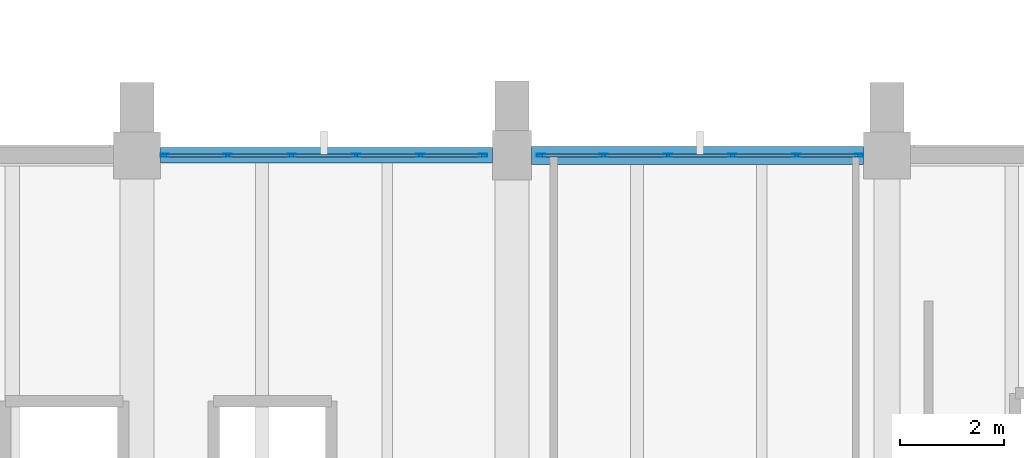
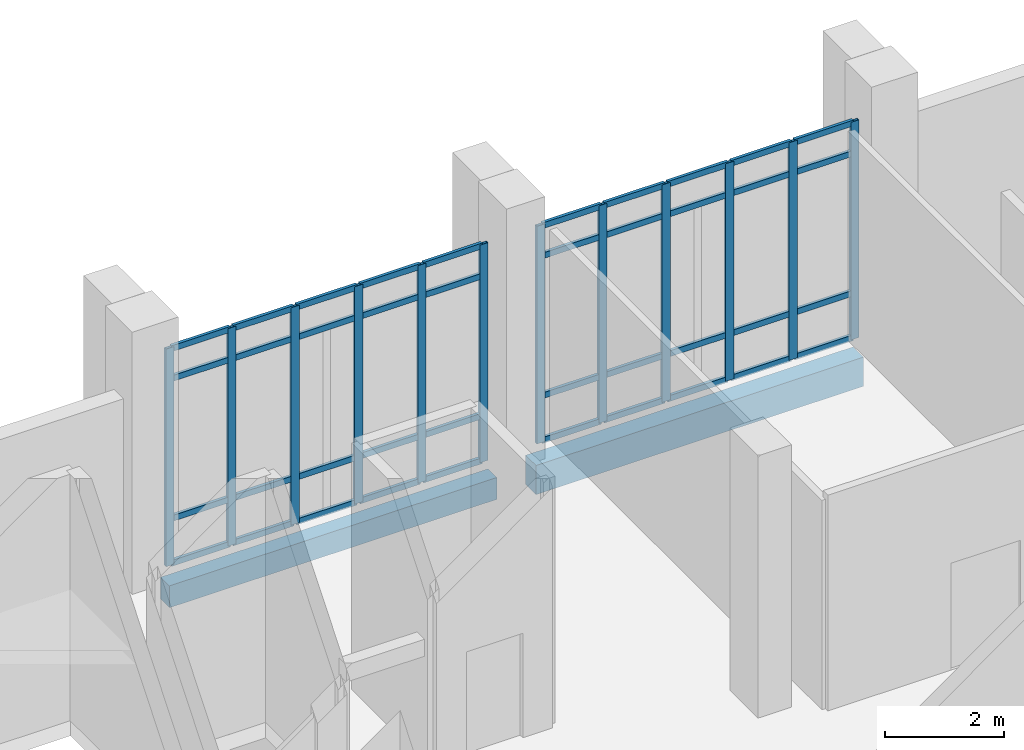
# One storey, part 43 of 110: 52 members, 2 beams, 2 elements without a shape of their own.
"""IFC4 building model written with IfcOpenShell, lengths in metres."""

from ifc_helpers import new_model, si_unit, direction, frame, origin, origin_2d, place, context, subcontext, project, spatial, rectangle, hollow_rectangle, extrude, material, material_profile, profile_set, type_object, element, aggregate, save


model = new_model("IFC4")

# Units and contexts
model_context = context("Model", 3, precision=1e-05, world=origin(), true_north=direction((0.0, 1.0)))
body_context = subcontext(model_context, "Body", "Model", "MODEL_VIEW")
ifc_project = project(units=[si_unit("LENGTHUNIT", "METRE"), si_unit("AREAUNIT", "SQUARE_METRE"), si_unit("VOLUMEUNIT", "CUBIC_METRE"), si_unit("PLANEANGLEUNIT", "RADIAN"), si_unit("MASSUNIT", "GRAM", prefix="KILO")], contexts=[model_context])

# Site, building, storey
site_placement = place(None, origin())
site = spatial("IfcSite", under=ifc_project, at=site_placement, CompositionType="ELEMENT")
building_placement = place(site_placement, origin())
building = spatial("IfcBuilding", under=site, at=building_placement, Name="Kalluvel Institute of Natural Sciences", CompositionType="ELEMENT")
storey_placement = place(building_placement, origin())
storey = spatial("IfcBuildingStorey", under=building, at=storey_placement, Name="L00", CompositionType="ELEMENT", Elevation=0.0)

# Curtain wall, members
ifc_material_1 = material(Name="Aluminium AW-6063 T6", Category="aluminium")
curtain_wall_type = type_object("IfcCurtainWallType", Name="CW-WET-54", PredefinedType="USERDEFINED", material=ifc_material_1)
curtain_wall_1_placement = place(storey_placement, origin())
curtain_wall_1 = element("IfcCurtainWall", 1, at=curtain_wall_1_placement, inside=storey, type_object=curtain_wall_type, Name="L00 Gothic lancet curtain wall CWA-L00-X433-Y1280", ObjectType="UNITISED LANCET FACADE", PredefinedType="USERDEFINED")
ifc_material_profile_1 = material_profile(ifc_material_1, hollow_rectangle(XDim=0.06005859375, YDim=0.159912109375, WallThickness=0.00390625, at=origin_2d()), Name="CWM 60x160")
ifc_profile_set_1 = profile_set([ifc_material_profile_1], Name="Aluminium AW-6063 T6")
member_type_1 = type_object("IfcMemberType", Name="CWM-60x160", PredefinedType="MULLION", material=ifc_profile_set_1)
member_1_placement = place(storey_placement, frame((43.330078125, 128.0, 0.0), z_axis=(0.0, 0.0, 1.0), x_axis=(0.0, 1.0, 0.0)))
member_1 = element("IfcMember", 2, at=member_1_placement, type_object=member_type_1, Name="CW-02 mullion 1", PredefinedType="MULLION", context=body_context, shape_type="SweptSolid", body=[
    extrude(hollow_rectangle(XDim=0.06005859375, YDim=0.159912109375, WallThickness=0.00390625, at=origin_2d()), origin(), (0.0, 0.0, 1.0), 4.47998046875),
])
member_2_placement = place(storey_placement, frame((44.534912109375, 128.0, 0.0), z_axis=(0.0, 0.0, 1.0), x_axis=(0.0, 1.0, 0.0)))
member_2 = element("IfcMember", 3, at=member_2_placement, type_object=member_type_1, Name="CW-02 mullion 2", PredefinedType="MULLION", context=body_context, shape_type="SweptSolid", body=[
    extrude(hollow_rectangle(XDim=0.06005859375, YDim=0.159912109375, WallThickness=0.00390625, at=origin_2d()), origin(), (0.0, 0.0, 1.0), 4.47998046875),
])
member_3_placement = place(storey_placement, frame((45.77001953125, 128.0, 0.0), z_axis=(0.0, 0.0, 1.0), x_axis=(0.0, 1.0, 0.0)))
member_3 = element("IfcMember", 4, at=member_3_placement, type_object=member_type_1, Name="CW-02 mullion 3", PredefinedType="MULLION", context=body_context, shape_type="SweptSolid", body=[
    extrude(hollow_rectangle(XDim=0.06005859375, YDim=0.159912109375, WallThickness=0.00390625, at=origin_2d()), origin(), (0.0, 0.0, 1.0), 4.47998046875),
])
member_4_placement = place(storey_placement, frame((47.0048828125, 128.0, 0.0), z_axis=(0.0, 0.0, 1.0), x_axis=(0.0, 1.0, 0.0)))
member_4 = element("IfcMember", 5, at=member_4_placement, type_object=member_type_1, Name="CW-02 mullion 4", PredefinedType="MULLION", context=body_context, shape_type="SweptSolid", body=[
    extrude(hollow_rectangle(XDim=0.06005859375, YDim=0.159912109375, WallThickness=0.00390625, at=origin_2d()), origin(), (0.0, 0.0, 1.0), 4.47998046875),
])
member_5_placement = place(storey_placement, frame((48.239990234375, 128.0, 0.0), z_axis=(0.0, 0.0, 1.0), x_axis=(0.0, 1.0, 0.0)))
member_5 = element("IfcMember", 6, at=member_5_placement, type_object=member_type_1, Name="CW-02 mullion 5", PredefinedType="MULLION", context=body_context, shape_type="SweptSolid", body=[
    extrude(hollow_rectangle(XDim=0.06005859375, YDim=0.159912109375, WallThickness=0.00390625, at=origin_2d()), origin(), (0.0, 0.0, 1.0), 4.47998046875),
])
member_6_placement = place(storey_placement, frame((49.445068359375, 128.0, 0.0), z_axis=(0.0, 0.0, 1.0), x_axis=(0.0, 1.0, 0.0)))
member_6 = element("IfcMember", 7, at=member_6_placement, type_object=member_type_1, Name="CW-02 mullion 6", PredefinedType="MULLION", context=body_context, shape_type="SweptSolid", body=[
    extrude(hollow_rectangle(XDim=0.06005859375, YDim=0.159912109375, WallThickness=0.00390625, at=origin_2d()), origin(), (0.0, 0.0, 1.0), 4.47998046875),
])

curtain_wall_2_placement = place(storey_placement, origin())
curtain_wall_2 = element("IfcCurtainWall", 8, at=curtain_wall_2_placement, inside=storey, type_object=curtain_wall_type, Name="L00 Gothic lancet curtain wall CWA-L00-X505-Y1280", ObjectType="UNITISED LANCET FACADE", PredefinedType="USERDEFINED")
member_7_placement = place(storey_placement, frame((50.554931640625, 128.0, 0.0), z_axis=(0.0, 0.0, 1.0), x_axis=(0.0, 1.0, 0.0)))
member_7 = element("IfcMember", 9, at=member_7_placement, type_object=member_type_1, Name="CW-02 mullion 1", PredefinedType="MULLION", context=body_context, shape_type="SweptSolid", body=[
    extrude(hollow_rectangle(XDim=0.06005859375, YDim=0.159912109375, WallThickness=0.00390625, at=origin_2d()), origin(), (0.0, 0.0, 1.0), 4.47998046875),
])
member_8_placement = place(storey_placement, frame((51.760009765625, 128.0, 0.0), z_axis=(0.0, 0.0, 1.0), x_axis=(0.0, 1.0, 0.0)))
member_8 = element("IfcMember", 10, at=member_8_placement, type_object=member_type_1, Name="CW-02 mullion 2", PredefinedType="MULLION", context=body_context, shape_type="SweptSolid", body=[
    extrude(hollow_rectangle(XDim=0.06005859375, YDim=0.159912109375, WallThickness=0.00390625, at=origin_2d()), origin(), (0.0, 0.0, 1.0), 4.47998046875),
])
member_9_placement = place(storey_placement, frame((52.9951171875, 128.0, 0.0), z_axis=(0.0, 0.0, 1.0), x_axis=(0.0, 1.0, 0.0)))
member_9 = element("IfcMember", 11, at=member_9_placement, type_object=member_type_1, Name="CW-02 mullion 3", PredefinedType="MULLION", context=body_context, shape_type="SweptSolid", body=[
    extrude(hollow_rectangle(XDim=0.06005859375, YDim=0.159912109375, WallThickness=0.00390625, at=origin_2d()), origin(), (0.0, 0.0, 1.0), 4.47998046875),
])
member_10_placement = place(storey_placement, frame((54.22998046875, 128.0, 0.0), z_axis=(0.0, 0.0, 1.0), x_axis=(0.0, 1.0, 0.0)))
member_10 = element("IfcMember", 12, at=member_10_placement, type_object=member_type_1, Name="CW-02 mullion 4", PredefinedType="MULLION", context=body_context, shape_type="SweptSolid", body=[
    extrude(hollow_rectangle(XDim=0.06005859375, YDim=0.159912109375, WallThickness=0.00390625, at=origin_2d()), origin(), (0.0, 0.0, 1.0), 4.47998046875),
])
member_11_placement = place(storey_placement, frame((55.465087890625, 128.0, 0.0), z_axis=(0.0, 0.0, 1.0), x_axis=(0.0, 1.0, 0.0)))
member_11 = element("IfcMember", 13, at=member_11_placement, type_object=member_type_1, Name="CW-02 mullion 5", PredefinedType="MULLION", context=body_context, shape_type="SweptSolid", body=[
    extrude(hollow_rectangle(XDim=0.06005859375, YDim=0.159912109375, WallThickness=0.00390625, at=origin_2d()), origin(), (0.0, 0.0, 1.0), 4.47998046875),
])
member_12_placement = place(storey_placement, frame((56.669921875, 128.0, 0.0), z_axis=(0.0, 0.0, 1.0), x_axis=(0.0, 1.0, 0.0)))
member_12 = element("IfcMember", 14, at=member_12_placement, type_object=member_type_1, Name="CW-02 mullion 6", PredefinedType="MULLION", context=body_context, shape_type="SweptSolid", body=[
    extrude(hollow_rectangle(XDim=0.06005859375, YDim=0.159912109375, WallThickness=0.00390625, at=origin_2d()), origin(), (0.0, 0.0, 1.0), 4.47998046875),
])

# Member
ifc_material_profile_2 = material_profile(ifc_material_1, hollow_rectangle(XDim=0.06005859375, YDim=0.1201171875, WallThickness=0.00390625, at=origin_2d()), Name="CWT 60x120")
ifc_profile_set_2 = profile_set([ifc_material_profile_2], Name="Aluminium AW-6063 T6")
member_type_2 = type_object("IfcMemberType", Name="CWT-60x120", PredefinedType="USERDEFINED", material=ifc_profile_set_2)
member_13_placement = place(storey_placement, frame((43.360107421875, 128.0, 0.030029296875), z_axis=(1.0, 0.0, 0.0), x_axis=(0.0, 1.0, 0.0)))
member_13 = element("IfcMember", 15, at=member_13_placement, type_object=member_type_2, Name="CW-02 transom 1.1", ObjectType="TRANSOM", PredefinedType="USERDEFINED", context=body_context, shape_type="SweptSolid", body=[
    extrude(hollow_rectangle(XDim=0.06005859375, YDim=0.1201171875, WallThickness=0.00390625, at=origin_2d()), origin(), (0.0, 0.0, 1.0), 1.144775390625),
])

member_14_placement = place(storey_placement, frame((43.360107421875, 128.0, 0.949951171875), z_axis=(1.0, 0.0, 0.0), x_axis=(0.0, 1.0, 0.0)))
member_14 = element("IfcMember", 16, at=member_14_placement, type_object=member_type_2, Name="CW-02 transom 1.2", ObjectType="TRANSOM", PredefinedType="USERDEFINED", context=body_context, shape_type="SweptSolid", body=[
    extrude(hollow_rectangle(XDim=0.06005859375, YDim=0.1201171875, WallThickness=0.00390625, at=origin_2d()), origin(), (0.0, 0.0, 1.0), 1.144775390625),
])

member_15_placement = place(storey_placement, frame((43.360107421875, 128.0, 3.830078125), z_axis=(1.0, 0.0, 0.0), x_axis=(0.0, 1.0, 0.0)))
member_15 = element("IfcMember", 17, at=member_15_placement, type_object=member_type_2, Name="CW-02 transom 1.3", ObjectType="TRANSOM", PredefinedType="USERDEFINED", context=body_context, shape_type="SweptSolid", body=[
    extrude(hollow_rectangle(XDim=0.06005859375, YDim=0.1201171875, WallThickness=0.00390625, at=origin_2d()), origin(), (0.0, 0.0, 1.0), 1.144775390625),
])

member_16_placement = place(storey_placement, frame((43.360107421875, 128.0, 4.449951171875), z_axis=(1.0, 0.0, 0.0), x_axis=(0.0, 1.0, 0.0)))
member_16 = element("IfcMember", 18, at=member_16_placement, type_object=member_type_2, Name="CW-02 transom 1.4", ObjectType="TRANSOM", PredefinedType="USERDEFINED", context=body_context, shape_type="SweptSolid", body=[
    extrude(hollow_rectangle(XDim=0.06005859375, YDim=0.1201171875, WallThickness=0.00390625, at=origin_2d()), origin(), (0.0, 0.0, 1.0), 1.144775390625),
])

member_17_placement = place(storey_placement, frame((44.56494140625, 128.0, 0.030029296875), z_axis=(1.0, 0.0, 0.0), x_axis=(0.0, 1.0, 0.0)))
member_17 = element("IfcMember", 19, at=member_17_placement, type_object=member_type_2, Name="CW-02 transom 2.1", ObjectType="TRANSOM", PredefinedType="USERDEFINED", context=body_context, shape_type="SweptSolid", body=[
    extrude(hollow_rectangle(XDim=0.06005859375, YDim=0.1201171875, WallThickness=0.00390625, at=origin_2d()), origin(), (0.0, 0.0, 1.0), 1.175048828125),
])

member_18_placement = place(storey_placement, frame((44.56494140625, 128.0, 0.949951171875), z_axis=(1.0, 0.0, 0.0), x_axis=(0.0, 1.0, 0.0)))
member_18 = element("IfcMember", 20, at=member_18_placement, type_object=member_type_2, Name="CW-02 transom 2.2", ObjectType="TRANSOM", PredefinedType="USERDEFINED", context=body_context, shape_type="SweptSolid", body=[
    extrude(hollow_rectangle(XDim=0.06005859375, YDim=0.1201171875, WallThickness=0.00390625, at=origin_2d()), origin(), (0.0, 0.0, 1.0), 1.175048828125),
])

member_19_placement = place(storey_placement, frame((44.56494140625, 128.0, 3.830078125), z_axis=(1.0, 0.0, 0.0), x_axis=(0.0, 1.0, 0.0)))
member_19 = element("IfcMember", 21, at=member_19_placement, type_object=member_type_2, Name="CW-02 transom 2.3", ObjectType="TRANSOM", PredefinedType="USERDEFINED", context=body_context, shape_type="SweptSolid", body=[
    extrude(hollow_rectangle(XDim=0.06005859375, YDim=0.1201171875, WallThickness=0.00390625, at=origin_2d()), origin(), (0.0, 0.0, 1.0), 1.175048828125),
])

member_20_placement = place(storey_placement, frame((44.56494140625, 128.0, 4.449951171875), z_axis=(1.0, 0.0, 0.0), x_axis=(0.0, 1.0, 0.0)))
member_20 = element("IfcMember", 22, at=member_20_placement, type_object=member_type_2, Name="CW-02 transom 2.4", ObjectType="TRANSOM", PredefinedType="USERDEFINED", context=body_context, shape_type="SweptSolid", body=[
    extrude(hollow_rectangle(XDim=0.06005859375, YDim=0.1201171875, WallThickness=0.00390625, at=origin_2d()), origin(), (0.0, 0.0, 1.0), 1.175048828125),
])

member_21_placement = place(storey_placement, frame((45.800048828125, 128.0, 0.030029296875), z_axis=(1.0, 0.0, 0.0), x_axis=(0.0, 1.0, 0.0)))
member_21 = element("IfcMember", 23, at=member_21_placement, type_object=member_type_2, Name="CW-02 transom 3.1", ObjectType="TRANSOM", PredefinedType="USERDEFINED", context=body_context, shape_type="SweptSolid", body=[
    extrude(hollow_rectangle(XDim=0.06005859375, YDim=0.1201171875, WallThickness=0.00390625, at=origin_2d()), origin(), (0.0, 0.0, 1.0), 1.175048828125),
])

member_22_placement = place(storey_placement, frame((45.800048828125, 128.0, 0.949951171875), z_axis=(1.0, 0.0, 0.0), x_axis=(0.0, 1.0, 0.0)))
member_22 = element("IfcMember", 24, at=member_22_placement, type_object=member_type_2, Name="CW-02 transom 3.2", ObjectType="TRANSOM", PredefinedType="USERDEFINED", context=body_context, shape_type="SweptSolid", body=[
    extrude(hollow_rectangle(XDim=0.06005859375, YDim=0.1201171875, WallThickness=0.00390625, at=origin_2d()), origin(), (0.0, 0.0, 1.0), 1.175048828125),
])

member_23_placement = place(storey_placement, frame((45.800048828125, 128.0, 3.830078125), z_axis=(1.0, 0.0, 0.0), x_axis=(0.0, 1.0, 0.0)))
member_23 = element("IfcMember", 25, at=member_23_placement, type_object=member_type_2, Name="CW-02 transom 3.3", ObjectType="TRANSOM", PredefinedType="USERDEFINED", context=body_context, shape_type="SweptSolid", body=[
    extrude(hollow_rectangle(XDim=0.06005859375, YDim=0.1201171875, WallThickness=0.00390625, at=origin_2d()), origin(), (0.0, 0.0, 1.0), 1.175048828125),
])

member_24_placement = place(storey_placement, frame((45.800048828125, 128.0, 4.449951171875), z_axis=(1.0, 0.0, 0.0), x_axis=(0.0, 1.0, 0.0)))
member_24 = element("IfcMember", 26, at=member_24_placement, type_object=member_type_2, Name="CW-02 transom 3.4", ObjectType="TRANSOM", PredefinedType="USERDEFINED", context=body_context, shape_type="SweptSolid", body=[
    extrude(hollow_rectangle(XDim=0.06005859375, YDim=0.1201171875, WallThickness=0.00390625, at=origin_2d()), origin(), (0.0, 0.0, 1.0), 1.175048828125),
])

member_25_placement = place(storey_placement, frame((47.034912109375, 128.0, 0.030029296875), z_axis=(1.0, 0.0, 0.0), x_axis=(0.0, 1.0, 0.0)))
member_25 = element("IfcMember", 27, at=member_25_placement, type_object=member_type_2, Name="CW-02 transom 4.1", ObjectType="TRANSOM", PredefinedType="USERDEFINED", context=body_context, shape_type="SweptSolid", body=[
    extrude(hollow_rectangle(XDim=0.06005859375, YDim=0.1201171875, WallThickness=0.00390625, at=origin_2d()), origin(), (0.0, 0.0, 1.0), 1.175048828125),
])

member_26_placement = place(storey_placement, frame((47.034912109375, 128.0, 0.949951171875), z_axis=(1.0, 0.0, 0.0), x_axis=(0.0, 1.0, 0.0)))
member_26 = element("IfcMember", 28, at=member_26_placement, type_object=member_type_2, Name="CW-02 transom 4.2", ObjectType="TRANSOM", PredefinedType="USERDEFINED", context=body_context, shape_type="SweptSolid", body=[
    extrude(hollow_rectangle(XDim=0.06005859375, YDim=0.1201171875, WallThickness=0.00390625, at=origin_2d()), origin(), (0.0, 0.0, 1.0), 1.175048828125),
])

member_27_placement = place(storey_placement, frame((47.034912109375, 128.0, 3.830078125), z_axis=(1.0, 0.0, 0.0), x_axis=(0.0, 1.0, 0.0)))
member_27 = element("IfcMember", 29, at=member_27_placement, type_object=member_type_2, Name="CW-02 transom 4.3", ObjectType="TRANSOM", PredefinedType="USERDEFINED", context=body_context, shape_type="SweptSolid", body=[
    extrude(hollow_rectangle(XDim=0.06005859375, YDim=0.1201171875, WallThickness=0.00390625, at=origin_2d()), origin(), (0.0, 0.0, 1.0), 1.175048828125),
])

member_28_placement = place(storey_placement, frame((47.034912109375, 128.0, 4.449951171875), z_axis=(1.0, 0.0, 0.0), x_axis=(0.0, 1.0, 0.0)))
member_28 = element("IfcMember", 30, at=member_28_placement, type_object=member_type_2, Name="CW-02 transom 4.4", ObjectType="TRANSOM", PredefinedType="USERDEFINED", context=body_context, shape_type="SweptSolid", body=[
    extrude(hollow_rectangle(XDim=0.06005859375, YDim=0.1201171875, WallThickness=0.00390625, at=origin_2d()), origin(), (0.0, 0.0, 1.0), 1.175048828125),
])

member_29_placement = place(storey_placement, frame((48.27001953125, 128.0, 0.030029296875), z_axis=(1.0, 0.0, 0.0), x_axis=(0.0, 1.0, 0.0)))
member_29 = element("IfcMember", 31, at=member_29_placement, type_object=member_type_2, Name="CW-02 transom 5.1", ObjectType="TRANSOM", PredefinedType="USERDEFINED", context=body_context, shape_type="SweptSolid", body=[
    extrude(hollow_rectangle(XDim=0.06005859375, YDim=0.1201171875, WallThickness=0.00390625, at=origin_2d()), origin(), (0.0, 0.0, 1.0), 1.14501953125),
])

member_30_placement = place(storey_placement, frame((48.27001953125, 128.0, 0.949951171875), z_axis=(1.0, 0.0, 0.0), x_axis=(0.0, 1.0, 0.0)))
member_30 = element("IfcMember", 32, at=member_30_placement, type_object=member_type_2, Name="CW-02 transom 5.2", ObjectType="TRANSOM", PredefinedType="USERDEFINED", context=body_context, shape_type="SweptSolid", body=[
    extrude(hollow_rectangle(XDim=0.06005859375, YDim=0.1201171875, WallThickness=0.00390625, at=origin_2d()), origin(), (0.0, 0.0, 1.0), 1.14501953125),
])

member_31_placement = place(storey_placement, frame((48.27001953125, 128.0, 3.830078125), z_axis=(1.0, 0.0, 0.0), x_axis=(0.0, 1.0, 0.0)))
member_31 = element("IfcMember", 33, at=member_31_placement, type_object=member_type_2, Name="CW-02 transom 5.3", ObjectType="TRANSOM", PredefinedType="USERDEFINED", context=body_context, shape_type="SweptSolid", body=[
    extrude(hollow_rectangle(XDim=0.06005859375, YDim=0.1201171875, WallThickness=0.00390625, at=origin_2d()), origin(), (0.0, 0.0, 1.0), 1.14501953125),
])

member_32_placement = place(storey_placement, frame((48.27001953125, 128.0, 4.449951171875), z_axis=(1.0, 0.0, 0.0), x_axis=(0.0, 1.0, 0.0)))
member_32 = element("IfcMember", 34, at=member_32_placement, type_object=member_type_2, Name="CW-02 transom 5.4", ObjectType="TRANSOM", PredefinedType="USERDEFINED", context=body_context, shape_type="SweptSolid", body=[
    extrude(hollow_rectangle(XDim=0.06005859375, YDim=0.1201171875, WallThickness=0.00390625, at=origin_2d()), origin(), (0.0, 0.0, 1.0), 1.14501953125),
])

aggregate(curtain_wall_1, [member_1, member_2, member_3, member_4, member_5, member_6, member_13, member_14, member_15, member_16, member_17, member_18, member_19, member_20, member_21, member_22, member_23, member_24, member_25, member_26, member_27, member_28, member_29, member_30, member_31, member_32])

member_33_placement = place(storey_placement, frame((50.5849609375, 128.0, 0.030029296875), z_axis=(1.0, 0.0, 0.0), x_axis=(0.0, 1.0, 0.0)))
member_33 = element("IfcMember", 35, at=member_33_placement, type_object=member_type_2, Name="CW-02 transom 1.1", ObjectType="TRANSOM", PredefinedType="USERDEFINED", context=body_context, shape_type="SweptSolid", body=[
    extrude(hollow_rectangle(XDim=0.06005859375, YDim=0.1201171875, WallThickness=0.00390625, at=origin_2d()), origin(), (0.0, 0.0, 1.0), 1.14501953125),
])

member_34_placement = place(storey_placement, frame((50.5849609375, 128.0, 0.949951171875), z_axis=(1.0, 0.0, 0.0), x_axis=(0.0, 1.0, 0.0)))
member_34 = element("IfcMember", 36, at=member_34_placement, type_object=member_type_2, Name="CW-02 transom 1.2", ObjectType="TRANSOM", PredefinedType="USERDEFINED", context=body_context, shape_type="SweptSolid", body=[
    extrude(hollow_rectangle(XDim=0.06005859375, YDim=0.1201171875, WallThickness=0.00390625, at=origin_2d()), origin(), (0.0, 0.0, 1.0), 1.14501953125),
])

member_35_placement = place(storey_placement, frame((50.5849609375, 128.0, 3.830078125), z_axis=(1.0, 0.0, 0.0), x_axis=(0.0, 1.0, 0.0)))
member_35 = element("IfcMember", 37, at=member_35_placement, type_object=member_type_2, Name="CW-02 transom 1.3", ObjectType="TRANSOM", PredefinedType="USERDEFINED", context=body_context, shape_type="SweptSolid", body=[
    extrude(hollow_rectangle(XDim=0.06005859375, YDim=0.1201171875, WallThickness=0.00390625, at=origin_2d()), origin(), (0.0, 0.0, 1.0), 1.14501953125),
])

member_36_placement = place(storey_placement, frame((50.5849609375, 128.0, 4.449951171875), z_axis=(1.0, 0.0, 0.0), x_axis=(0.0, 1.0, 0.0)))
member_36 = element("IfcMember", 38, at=member_36_placement, type_object=member_type_2, Name="CW-02 transom 1.4", ObjectType="TRANSOM", PredefinedType="USERDEFINED", context=body_context, shape_type="SweptSolid", body=[
    extrude(hollow_rectangle(XDim=0.06005859375, YDim=0.1201171875, WallThickness=0.00390625, at=origin_2d()), origin(), (0.0, 0.0, 1.0), 1.14501953125),
])

member_37_placement = place(storey_placement, frame((51.7900390625, 128.0, 0.030029296875), z_axis=(1.0, 0.0, 0.0), x_axis=(0.0, 1.0, 0.0)))
member_37 = element("IfcMember", 39, at=member_37_placement, type_object=member_type_2, Name="CW-02 transom 2.1", ObjectType="TRANSOM", PredefinedType="USERDEFINED", context=body_context, shape_type="SweptSolid", body=[
    extrude(hollow_rectangle(XDim=0.06005859375, YDim=0.1201171875, WallThickness=0.00390625, at=origin_2d()), origin(), (0.0, 0.0, 1.0), 1.175048828125),
])

member_38_placement = place(storey_placement, frame((51.7900390625, 128.0, 0.949951171875), z_axis=(1.0, 0.0, 0.0), x_axis=(0.0, 1.0, 0.0)))
member_38 = element("IfcMember", 40, at=member_38_placement, type_object=member_type_2, Name="CW-02 transom 2.2", ObjectType="TRANSOM", PredefinedType="USERDEFINED", context=body_context, shape_type="SweptSolid", body=[
    extrude(hollow_rectangle(XDim=0.06005859375, YDim=0.1201171875, WallThickness=0.00390625, at=origin_2d()), origin(), (0.0, 0.0, 1.0), 1.175048828125),
])

member_39_placement = place(storey_placement, frame((51.7900390625, 128.0, 3.830078125), z_axis=(1.0, 0.0, 0.0), x_axis=(0.0, 1.0, 0.0)))
member_39 = element("IfcMember", 41, at=member_39_placement, type_object=member_type_2, Name="CW-02 transom 2.3", ObjectType="TRANSOM", PredefinedType="USERDEFINED", context=body_context, shape_type="SweptSolid", body=[
    extrude(hollow_rectangle(XDim=0.06005859375, YDim=0.1201171875, WallThickness=0.00390625, at=origin_2d()), origin(), (0.0, 0.0, 1.0), 1.175048828125),
])

member_40_placement = place(storey_placement, frame((51.7900390625, 128.0, 4.449951171875), z_axis=(1.0, 0.0, 0.0), x_axis=(0.0, 1.0, 0.0)))
member_40 = element("IfcMember", 42, at=member_40_placement, type_object=member_type_2, Name="CW-02 transom 2.4", ObjectType="TRANSOM", PredefinedType="USERDEFINED", context=body_context, shape_type="SweptSolid", body=[
    extrude(hollow_rectangle(XDim=0.06005859375, YDim=0.1201171875, WallThickness=0.00390625, at=origin_2d()), origin(), (0.0, 0.0, 1.0), 1.175048828125),
])

member_41_placement = place(storey_placement, frame((53.02490234375, 128.0, 0.030029296875), z_axis=(1.0, 0.0, 0.0), x_axis=(0.0, 1.0, 0.0)))
member_41 = element("IfcMember", 43, at=member_41_placement, type_object=member_type_2, Name="CW-02 transom 3.1", ObjectType="TRANSOM", PredefinedType="USERDEFINED", context=body_context, shape_type="SweptSolid", body=[
    extrude(hollow_rectangle(XDim=0.06005859375, YDim=0.1201171875, WallThickness=0.00390625, at=origin_2d()), origin(), (0.0, 0.0, 1.0), 1.175048828125),
])

member_42_placement = place(storey_placement, frame((53.02490234375, 128.0, 0.949951171875), z_axis=(1.0, 0.0, 0.0), x_axis=(0.0, 1.0, 0.0)))
member_42 = element("IfcMember", 44, at=member_42_placement, type_object=member_type_2, Name="CW-02 transom 3.2", ObjectType="TRANSOM", PredefinedType="USERDEFINED", context=body_context, shape_type="SweptSolid", body=[
    extrude(hollow_rectangle(XDim=0.06005859375, YDim=0.1201171875, WallThickness=0.00390625, at=origin_2d()), origin(), (0.0, 0.0, 1.0), 1.175048828125),
])

member_43_placement = place(storey_placement, frame((53.02490234375, 128.0, 3.830078125), z_axis=(1.0, 0.0, 0.0), x_axis=(0.0, 1.0, 0.0)))
member_43 = element("IfcMember", 45, at=member_43_placement, type_object=member_type_2, Name="CW-02 transom 3.3", ObjectType="TRANSOM", PredefinedType="USERDEFINED", context=body_context, shape_type="SweptSolid", body=[
    extrude(hollow_rectangle(XDim=0.06005859375, YDim=0.1201171875, WallThickness=0.00390625, at=origin_2d()), origin(), (0.0, 0.0, 1.0), 1.175048828125),
])

member_44_placement = place(storey_placement, frame((53.02490234375, 128.0, 4.449951171875), z_axis=(1.0, 0.0, 0.0), x_axis=(0.0, 1.0, 0.0)))
member_44 = element("IfcMember", 46, at=member_44_placement, type_object=member_type_2, Name="CW-02 transom 3.4", ObjectType="TRANSOM", PredefinedType="USERDEFINED", context=body_context, shape_type="SweptSolid", body=[
    extrude(hollow_rectangle(XDim=0.06005859375, YDim=0.1201171875, WallThickness=0.00390625, at=origin_2d()), origin(), (0.0, 0.0, 1.0), 1.175048828125),
])

member_45_placement = place(storey_placement, frame((54.260009765625, 128.0, 0.030029296875), z_axis=(1.0, 0.0, 0.0), x_axis=(0.0, 1.0, 0.0)))
member_45 = element("IfcMember", 47, at=member_45_placement, type_object=member_type_2, Name="CW-02 transom 4.1", ObjectType="TRANSOM", PredefinedType="USERDEFINED", context=body_context, shape_type="SweptSolid", body=[
    extrude(hollow_rectangle(XDim=0.06005859375, YDim=0.1201171875, WallThickness=0.00390625, at=origin_2d()), origin(), (0.0, 0.0, 1.0), 1.175048828125),
])

member_46_placement = place(storey_placement, frame((54.260009765625, 128.0, 0.949951171875), z_axis=(1.0, 0.0, 0.0), x_axis=(0.0, 1.0, 0.0)))
member_46 = element("IfcMember", 48, at=member_46_placement, type_object=member_type_2, Name="CW-02 transom 4.2", ObjectType="TRANSOM", PredefinedType="USERDEFINED", context=body_context, shape_type="SweptSolid", body=[
    extrude(hollow_rectangle(XDim=0.06005859375, YDim=0.1201171875, WallThickness=0.00390625, at=origin_2d()), origin(), (0.0, 0.0, 1.0), 1.175048828125),
])

member_47_placement = place(storey_placement, frame((54.260009765625, 128.0, 3.830078125), z_axis=(1.0, 0.0, 0.0), x_axis=(0.0, 1.0, 0.0)))
member_47 = element("IfcMember", 49, at=member_47_placement, type_object=member_type_2, Name="CW-02 transom 4.3", ObjectType="TRANSOM", PredefinedType="USERDEFINED", context=body_context, shape_type="SweptSolid", body=[
    extrude(hollow_rectangle(XDim=0.06005859375, YDim=0.1201171875, WallThickness=0.00390625, at=origin_2d()), origin(), (0.0, 0.0, 1.0), 1.175048828125),
])

member_48_placement = place(storey_placement, frame((54.260009765625, 128.0, 4.449951171875), z_axis=(1.0, 0.0, 0.0), x_axis=(0.0, 1.0, 0.0)))
member_48 = element("IfcMember", 50, at=member_48_placement, type_object=member_type_2, Name="CW-02 transom 4.4", ObjectType="TRANSOM", PredefinedType="USERDEFINED", context=body_context, shape_type="SweptSolid", body=[
    extrude(hollow_rectangle(XDim=0.06005859375, YDim=0.1201171875, WallThickness=0.00390625, at=origin_2d()), origin(), (0.0, 0.0, 1.0), 1.175048828125),
])

member_49_placement = place(storey_placement, frame((55.4951171875, 128.0, 0.030029296875), z_axis=(1.0, 0.0, 0.0), x_axis=(0.0, 1.0, 0.0)))
member_49 = element("IfcMember", 51, at=member_49_placement, type_object=member_type_2, Name="CW-02 transom 5.1", ObjectType="TRANSOM", PredefinedType="USERDEFINED", context=body_context, shape_type="SweptSolid", body=[
    extrude(hollow_rectangle(XDim=0.06005859375, YDim=0.1201171875, WallThickness=0.00390625, at=origin_2d()), origin(), (0.0, 0.0, 1.0), 1.144775390625),
])

member_50_placement = place(storey_placement, frame((55.4951171875, 128.0, 0.949951171875), z_axis=(1.0, 0.0, 0.0), x_axis=(0.0, 1.0, 0.0)))
member_50 = element("IfcMember", 52, at=member_50_placement, type_object=member_type_2, Name="CW-02 transom 5.2", ObjectType="TRANSOM", PredefinedType="USERDEFINED", context=body_context, shape_type="SweptSolid", body=[
    extrude(hollow_rectangle(XDim=0.06005859375, YDim=0.1201171875, WallThickness=0.00390625, at=origin_2d()), origin(), (0.0, 0.0, 1.0), 1.144775390625),
])

member_51_placement = place(storey_placement, frame((55.4951171875, 128.0, 3.830078125), z_axis=(1.0, 0.0, 0.0), x_axis=(0.0, 1.0, 0.0)))
member_51 = element("IfcMember", 53, at=member_51_placement, type_object=member_type_2, Name="CW-02 transom 5.3", ObjectType="TRANSOM", PredefinedType="USERDEFINED", context=body_context, shape_type="SweptSolid", body=[
    extrude(hollow_rectangle(XDim=0.06005859375, YDim=0.1201171875, WallThickness=0.00390625, at=origin_2d()), origin(), (0.0, 0.0, 1.0), 1.144775390625),
])

member_52_placement = place(storey_placement, frame((55.4951171875, 128.0, 4.449951171875), z_axis=(1.0, 0.0, 0.0), x_axis=(0.0, 1.0, 0.0)))
member_52 = element("IfcMember", 54, at=member_52_placement, type_object=member_type_2, Name="CW-02 transom 5.4", ObjectType="TRANSOM", PredefinedType="USERDEFINED", context=body_context, shape_type="SweptSolid", body=[
    extrude(hollow_rectangle(XDim=0.06005859375, YDim=0.1201171875, WallThickness=0.00390625, at=origin_2d()), origin(), (0.0, 0.0, 1.0), 1.144775390625),
])

aggregate(curtain_wall_2, [member_7, member_8, member_9, member_10, member_11, member_12, member_33, member_34, member_35, member_36, member_37, member_38, member_39, member_40, member_41, member_42, member_43, member_44, member_45, member_46, member_47, member_48, member_49, member_50, member_51, member_52])

# Beams
ifc_material_2 = material(Name="Concrete M40", Category="concrete")
ifc_material_profile_3 = material_profile(ifc_material_2, rectangle(XDim=0.300048828125, YDim=0.449951171875, at=origin_2d()), Name="RCB 300x450")
ifc_profile_set_3 = profile_set([ifc_material_profile_3], Name="Concrete M40")
beam_type_1 = type_object("IfcBeamType", Name="SP-RC300x450", PredefinedType="SPANDREL", material=ifc_profile_set_3)
beam_1_placement = place(storey_placement, frame((43.25, 128.0, -0.544921875), z_axis=(1.0, 0.0, 0.0), x_axis=(0.0, 1.0, 0.0)))
element("IfcBeam", 55, at=beam_1_placement, inside=storey, type_object=beam_type_1, Name="L00 girder GIR-L00-EW-X428-Y1280", PredefinedType="SPANDREL", context=body_context, shape_type="SweptSolid", body=[
    extrude(rectangle(XDim=0.300048828125, YDim=0.449951171875, at=origin_2d()), origin(), (0.0, 0.0, 1.0), 6.375),
])
ifc_material_profile_4 = material_profile(ifc_material_2, rectangle(XDim=0.35009765625, YDim=0.60009765625, at=origin_2d()), Name="RCB 350x600")
ifc_profile_set_4 = profile_set([ifc_material_profile_4], Name="Concrete M40")
beam_type_2 = type_object("IfcBeamType", Name="SP-RC350x600", PredefinedType="SPANDREL", material=ifc_profile_set_4)
beam_2_placement = place(storey_placement, frame((50.375, 128.0, -0.6201171875), z_axis=(1.0, 0.0, 0.0), x_axis=(0.0, 1.0, 0.0)))
element("IfcBeam", 56, at=beam_2_placement, inside=storey, type_object=beam_type_2, Name="L00 girder GIR-L00-EW-X500-Y1280", PredefinedType="SPANDREL", context=body_context, shape_type="SweptSolid", body=[
    extrude(rectangle(XDim=0.35009765625, YDim=0.60009765625, at=origin_2d()), origin(), (0.0, 0.0, 1.0), 6.375),
])

save(model, "model.ifc")
